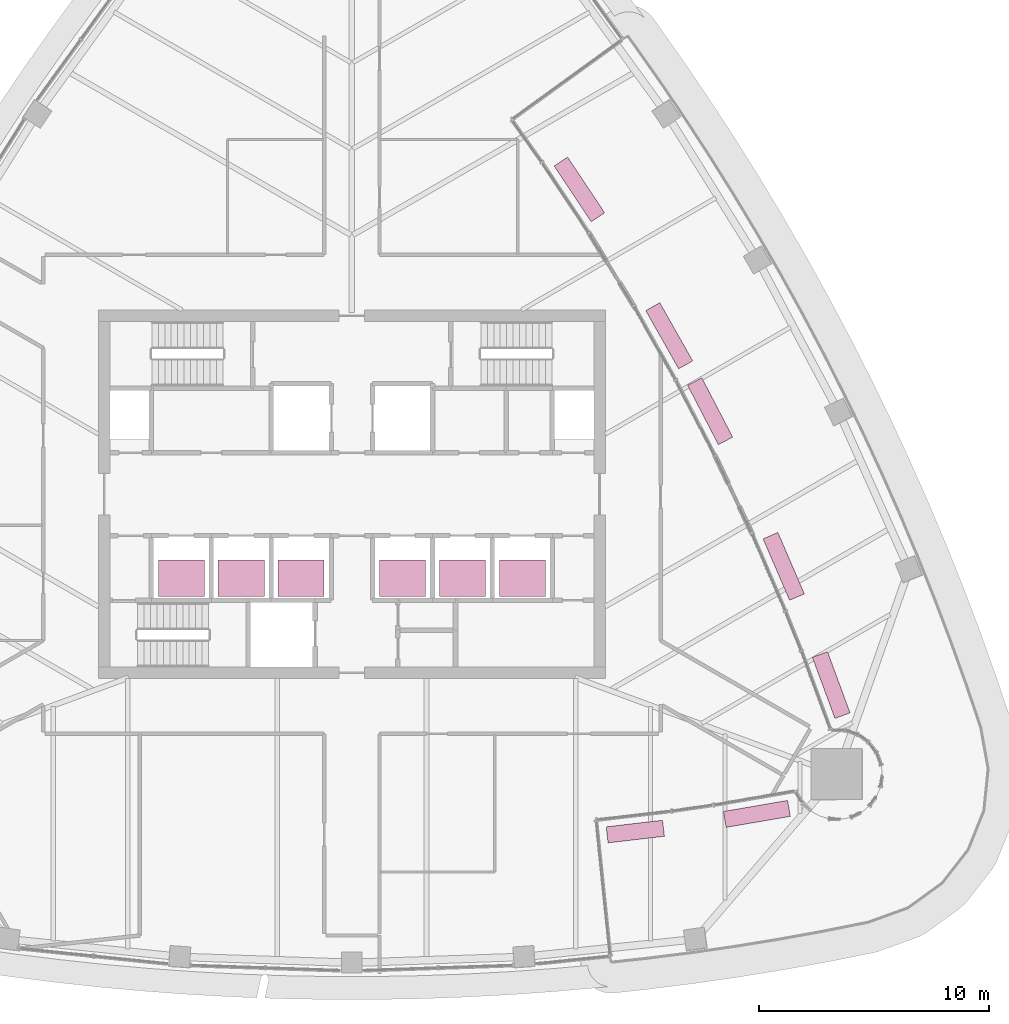
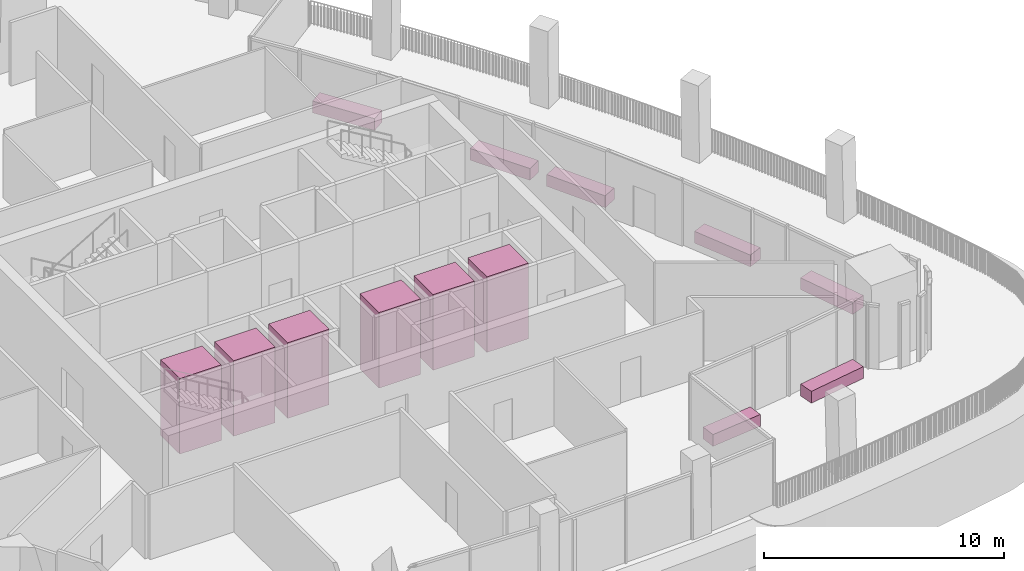
# One storey, part 20 of 20: 7 furniture elements, 6 transport elements.
"""IFC4 building model written with IfcOpenShell, lengths in metres."""

import ifcopenshell
import ifcopenshell.guid

model = None  # the IFC model being written
_history = None  # IfcOwnerHistory: only IFC2X3 demands one
_inside = {}  # id of a spatial element -> (the spatial element, [elements in it])
_under = {}  # id of a project, library or spatial element -> (it, [spatial elements below it])
_declared = {}  # id of a project -> (the project, [libraries it declares])
_typed = {}  # id of a type object -> (the type object, [elements of that type])
_made_of = {}  # id of a material, layer set ... -> (it, [elements and type objects made of it])


def new_model(schema):
    """Start an empty IFC model of exactly this schema.

    Asked for "IFC4X3", IfcOpenShell would pick the latest addendum, in which some entities
    have other attributes; the version numbers below select the first issue.
    IFC2X3 requires an IfcOwnerHistory on every rooted entity: one is made here for all.
    """
    global model, _history
    if schema == "IFC4X3":
        model = ifcopenshell.file(schema_version=(4, 3, 0, 0))
    else:
        model = ifcopenshell.file(schema=schema)
    _inside.clear()
    _under.clear()
    _declared.clear()
    _typed.clear()
    _made_of.clear()
    _history = None
    if model.schema == "IFC2X3":
        org = make("IfcOrganization", Name="unknown")
        user = make(
            "IfcPersonAndOrganization",
            ThePerson=make("IfcPerson", FamilyName="unknown"),
            TheOrganization=org,
        )
        app = make(
            "IfcApplication",
            ApplicationDeveloper=org,
            Version="unknown",
            ApplicationFullName="unknown",
            ApplicationIdentifier="unknown",
        )
        _history = make(
            "IfcOwnerHistory",
            OwningUser=user,
            OwningApplication=app,
            ChangeAction="ADDED",
            CreationDate=0,
        )
    return model


def make(cls, **values):
    """One entity of the class cls with the attributes given. An attribute that is None is left unset."""
    return model.create_entity(
        cls, **{name: value for name, value in values.items() if value is not None}
    )


def rooted(cls, **values):
    """An entity with a GlobalId (a new one), such as an element, a storey or a relation."""
    return make(cls, GlobalId=ifcopenshell.guid.new(), OwnerHistory=_history, **values)


def si_unit(unit_type, name, prefix=None):
    """IfcSIUnit, for example si_unit("LENGTHUNIT", "METRE", prefix="MILLI")."""
    return make("IfcSIUnit", UnitType=unit_type, Prefix=prefix, Name=name)


def assignment(units):
    """IfcUnitAssignment: the units of a project."""
    return None if units is None else make("IfcUnitAssignment", Units=units)


def point(xyz):
    """IfcCartesianPoint."""
    return None if xyz is None else make("IfcCartesianPoint", Coordinates=xyz)


def direction(xyz):
    """IfcDirection."""
    return None if xyz is None else make("IfcDirection", DirectionRatios=xyz)


def frame(location, z_axis=None, x_axis=None):
    """IfcAxis2Placement3D, a coordinate frame: its origin and axes. An axis left out is left unset."""
    return make(
        "IfcAxis2Placement3D",
        Location=point(location),
        Axis=direction(z_axis),
        RefDirection=direction(x_axis),
    )


def frame_2d(location, x_axis=None):
    """IfcAxis2Placement2D, a coordinate frame in the plane: its origin and x axis."""
    return make(
        "IfcAxis2Placement2D", Location=point(location), RefDirection=direction(x_axis)
    )


def origin():
    """The frame at (0, 0, 0) with its axes left unset."""
    return frame((0.0, 0.0, 0.0))


def origin_2d():
    """The frame at (0, 0) in the plane with its x axis left unset."""
    return frame_2d((0.0, 0.0))


def place(relative_to, where):
    """IfcLocalPlacement: puts the frame where relative to a parent placement (None: the world)."""
    return make(
        "IfcLocalPlacement", PlacementRelTo=relative_to, RelativePlacement=where
    )


def context(
    kind, dimensions, precision=None, world=None, true_north=None, identifier=None
):
    """IfcGeometricRepresentationContext, for example the 3D "Model" context."""
    return make(
        "IfcGeometricRepresentationContext",
        ContextIdentifier=identifier,
        ContextType=kind,
        CoordinateSpaceDimension=dimensions,
        Precision=precision,
        WorldCoordinateSystem=world,
        TrueNorth=true_north,
    )


def subcontext(parent, identifier, kind, view, scale=None):
    """IfcGeometricRepresentationSubContext, for example "Body" below "Model"."""
    return make(
        "IfcGeometricRepresentationSubContext",
        ContextIdentifier=identifier,
        ContextType=kind,
        ParentContext=parent,
        TargetScale=scale,
        TargetView=view,
    )


def project(units=None, contexts=None):
    """IfcProject with its units and contexts."""
    return rooted(
        "IfcProject",
        Name="project",
        RepresentationContexts=contexts,
        UnitsInContext=assignment(units),
    )


def spatial(cls, under=None, at=None, **own):
    """A site, building, storey or space (cls), placed at a placement, below another one or the project."""
    s = rooted(cls, ObjectPlacement=at, **own)
    if under is not None:
        _under.setdefault(under.id(), (under, []))[1].append(s)
    return s


def profile(cls, at=None, kind="AREA", **sizes):
    """A parametric profile (cls). Its sizes go by their IFC names, for example OverallWidth=200.0."""
    return make(cls, ProfileType=kind, Position=at, **sizes)


def rectangle(**sizes):
    """IfcRectangleProfileDef."""
    return profile("IfcRectangleProfileDef", **sizes)


def extrude(swept, where, along, depth):
    """IfcExtrudedAreaSolid: the profile swept, set in the frame where, extruded along a direction by depth."""
    return make(
        "IfcExtrudedAreaSolid",
        SweptArea=swept,
        Position=where,
        ExtrudedDirection=direction(along),
        Depth=depth,
    )


def shape(context_of_items, identifier, shape_type, items):
    """IfcShapeRepresentation: the items that make up one representation, for example the "Body"."""
    return make(
        "IfcShapeRepresentation",
        ContextOfItems=context_of_items,
        RepresentationIdentifier=identifier,
        RepresentationType=shape_type,
        Items=items,
    )


def material(Name=None, Category=None):
    """IfcMaterial."""
    return make("IfcMaterial", Name=Name, Category=Category)


def made_of(thing, what):
    """Note that an element or type object is made of a material, layer set ...; save() writes the relation."""
    if what is not None:
        _made_of.setdefault(what.id(), (what, []))[1].append(thing)
    return thing


def type_object(cls, material=None, **own):
    """A type object (cls), such as IfcWallType, which elements share."""
    return made_of(rooted(cls, **own), material)


def element(
    cls,
    number,
    at=None,
    inside=None,
    cuts=None,
    type_object=None,
    material=None,
    context=None,
    identifier="Body",
    shape_type=None,
    held_by="IfcProductDefinitionShape",
    body=None,
    shapes=None,
    **own,
):
    """One element of the class cls, such as IfcWall. Its Tag is "e" and its number.

    at: its placement. inside: the storey or other place that contains it. cuts: it is an
    opening in that element (IfcRelVoidsElement). A single representation is given by context,
    identifier, shape_type and body (its items); several are given by shapes. held_by: the class
    of the entity that holds the representations. save() writes the other relations.
    """
    e = rooted(cls, Tag="e%d" % number, ObjectPlacement=at, **own)
    if body is not None:
        shapes = [shape(context, identifier, shape_type, body)]
    if shapes is not None:
        e.Representation = make(held_by, Representations=shapes)
    if inside is not None:
        _inside.setdefault(inside.id(), (inside, []))[1].append(e)
    if cuts is not None:
        rooted(
            "IfcRelVoidsElement", RelatingBuildingElement=cuts, RelatedOpeningElement=e
        )
    if type_object is not None:
        _typed.setdefault(type_object.id(), (type_object, []))[1].append(e)
    return made_of(e, material)


def aggregate(whole, parts):
    """IfcRelAggregates: a whole, such as a stair, and the parts it consists of."""
    return rooted("IfcRelAggregates", RelatingObject=whole, RelatedObjects=parts)


def save(model, path):
    """Write the relations noted so far, then the file.

    IfcRelAggregates (storeys below a building ...), IfcRelContainedInSpatialStructure (elements
    in a storey), IfcRelDefinesByType, IfcRelAssociatesMaterial and IfcRelDeclares: one each for
    every whole, place, type object, material and project.
    """
    for whole, parts in _under.values():
        aggregate(whole, parts)
    for where, things in _inside.values():
        rooted(
            "IfcRelContainedInSpatialStructure",
            RelatedElements=things,
            RelatingStructure=where,
        )
    for kind, things in _typed.values():
        rooted("IfcRelDefinesByType", RelatedObjects=things, RelatingType=kind)
    for what, things in _made_of.values():
        rooted("IfcRelAssociatesMaterial", RelatedObjects=things, RelatingMaterial=what)
    for by, libraries in _declared.values():
        rooted("IfcRelDeclares", RelatingContext=by, RelatedDefinitions=libraries)
    model.write(path)


model = new_model("IFC4")

# Units and contexts
model_context = context("Model", 3, precision=1e-05, world=origin(), true_north=direction((0.0, 1.0)))
body_context = subcontext(model_context, "Body", "Model", "MODEL_VIEW")
ifc_project = project(units=[si_unit("LENGTHUNIT", "METRE"), si_unit("AREAUNIT", "SQUARE_METRE"), si_unit("VOLUMEUNIT", "CUBIC_METRE"), si_unit("PLANEANGLEUNIT", "RADIAN"), si_unit("MASSUNIT", "GRAM", prefix="KILO")], contexts=[model_context])

# Site, building, storey
site_placement = place(None, origin())
site = spatial("IfcSite", under=ifc_project, at=site_placement, CompositionType="ELEMENT")
building_placement = place(site_placement, origin())
building = spatial("IfcBuilding", under=site, at=building_placement, Name="Sierra Prisma Convention Tower", CompositionType="ELEMENT")
storey_placement = place(building_placement, frame((0.0, 0.0, 275.0)))
storey = spatial("IfcBuildingStorey", under=building, at=storey_placement, Name="L62", CompositionType="ELEMENT", Elevation=275.0)

# Transport elements
ifc_material_1 = material(Name="Stainless steel", Category="steel")
transport_element_type = type_object("IfcTransportElementType", Name="Lift car office high 2000x1600 1600 kg", PredefinedType="ELEVATOR", material=ifc_material_1)
for number, where, z_axis, x_axis, name in (
    (1, (-7.39990234375, -3.64990234375, 0.0), (0.0, 0.0, 1.0), (1.0, 0.0, 0.0), "Lift OH1"),
    (2, (-4.800048828125, -3.64990234375, 0.0), (0.0, 0.0, 1.0), (1.0, 0.0, 0.0), "Lift OH2"),
    (3, (-2.199951171875, -3.64990234375, 0.0), (0.0, 0.0, 1.0), (1.0, 0.0, 0.0), "Lift OH3"),
    (4, (2.199951171875, -3.64990234375, 0.0), (0.0, 0.0, 1.0), (1.0, 0.0, 0.0), "Lift OH4"),
    (5, (4.800048828125, -3.64990234375, 0.0), (0.0, 0.0, 1.0), (1.0, 0.0, 0.0), "Lift OH5"),
    (6, (7.39990234375, -3.64990234375, 0.0), (0.0, 0.0, 1.0), (1.0, 0.0, 0.0), "Lift OH6"),
):
    element("IfcTransportElement", number, at=place(storey_placement, frame(where, z_axis=z_axis, x_axis=x_axis)), inside=storey, type_object=transport_element_type, Name=name, PredefinedType="ELEVATOR", context=body_context, shape_type="SweptSolid", body=[
        extrude(rectangle(XDim=2.0, YDim=1.60009765625, at=origin_2d()), origin(), (0.0, 0.0, 1.0), 3.85009765625),
    ])

# Furniture
ifc_material_2 = material(Name="Precast concrete C40/50", Category="concrete")
furniture_type = type_object("IfcFurnitureType", Name="Terrace planter", AssemblyPlace="NOTDEFINED", PredefinedType="USERDEFINED", material=ifc_material_2)
furniture_1_placement = place(storey_placement, frame((12.3037109375, -14.643310546875, 0.0400390625), z_axis=(0.0, 0.0, 1.0), x_axis=(0.99323167317, 0.116150090025, 0.0)))
element("IfcFurniture", 7, at=furniture_1_placement, inside=storey, type_object=furniture_type, Name="Planter L62.1", ObjectType="PLANTER", PredefinedType="USERDEFINED", context=body_context, shape_type="SweptSolid", body=[
    extrude(rectangle(XDim=2.461181640625, YDim=0.699951171875, at=origin_2d()), origin(), (0.0, 0.0, 1.0), 0.60009765625),
])
furniture_2_placement = place(storey_placement, frame((17.580078125, -13.87744140625, 0.0400390625), z_axis=(0.0, 0.0, 1.0), x_axis=(0.985592101125, 0.169139617475, 0.0)))
element("IfcFurniture", 8, at=furniture_2_placement, inside=storey, type_object=furniture_type, Name="Planter L62.3", ObjectType="PLANTER", PredefinedType="USERDEFINED", context=body_context, shape_type="SweptSolid", body=[
    extrude(rectangle(XDim=2.8271484375, YDim=0.699951171875, at=origin_2d()), origin(), (0.0, 0.0, 1.0), 0.60009765625),
])
furniture_3_placement = place(storey_placement, frame((20.80859375, -8.286376953125, 0.0400390625), z_axis=(0.0, 0.0, 1.0), x_axis=(-0.346314339428, 0.938118531054, 0.0)))
element("IfcFurniture", 9, at=furniture_3_placement, inside=storey, type_object=furniture_type, Name="Planter L62.21", ObjectType="PLANTER", PredefinedType="USERDEFINED", context=body_context, shape_type="SweptSolid", body=[
    extrude(rectangle(XDim=2.828125, YDim=0.699951171875, at=origin_2d()), origin(), (0.0, 0.0, 1.0), 0.60009765625),
])
for number, where, z_axis, x_axis, name in (
    (10, (18.74609375, -3.13134765625, 0.0400390625), (0.0, 0.0, 1.0), (-0.396026907972, 0.91823890582, 0.0), "Planter L62.23"),
    (11, (15.5517578125, 3.601318359375, 0.0400390625), (0.0, 0.0, 1.0), (-0.460736285609, 0.887537083802, 0.0), "Planter L62.25"),
    (12, (13.77587890625, 6.877685546875, 0.0400390625), (0.0, 0.0, 1.0), (-0.492224942337, 0.870468038553, 0.0), "Planter L62.26"),
    (13, (9.877685546875, 13.228759765625, 0.0400390625), (0.0, 0.0, 1.0), (-0.553268261336, 0.833003139849, 0.0), "Planter L62.28"),
):
    element("IfcFurniture", number, at=place(storey_placement, frame(where, z_axis=z_axis, x_axis=x_axis)), inside=storey, type_object=furniture_type, Name=name, ObjectType="PLANTER", PredefinedType="USERDEFINED", context=body_context, shape_type="SweptSolid", body=[
        extrude(rectangle(XDim=2.902099609375, YDim=0.699951171875, at=origin_2d()), origin(), (0.0, 0.0, 1.0), 0.60009765625),
    ])

save(model, "model.ifc")
